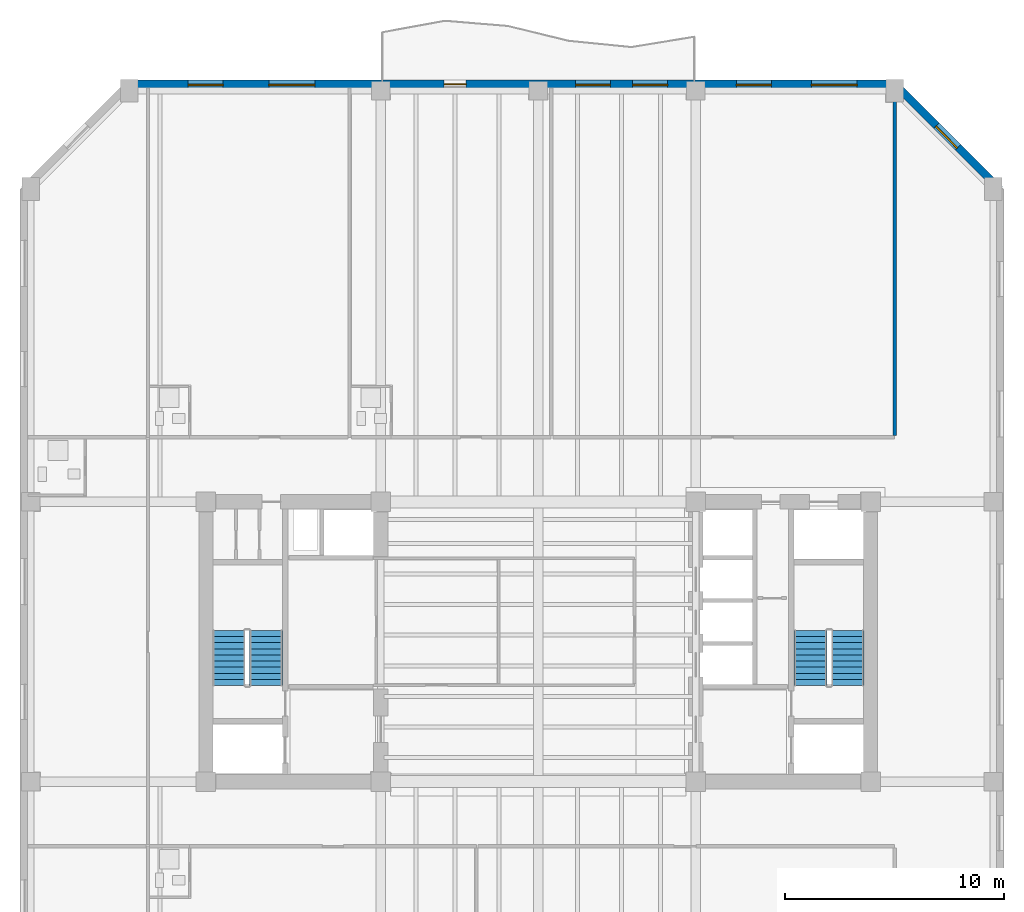
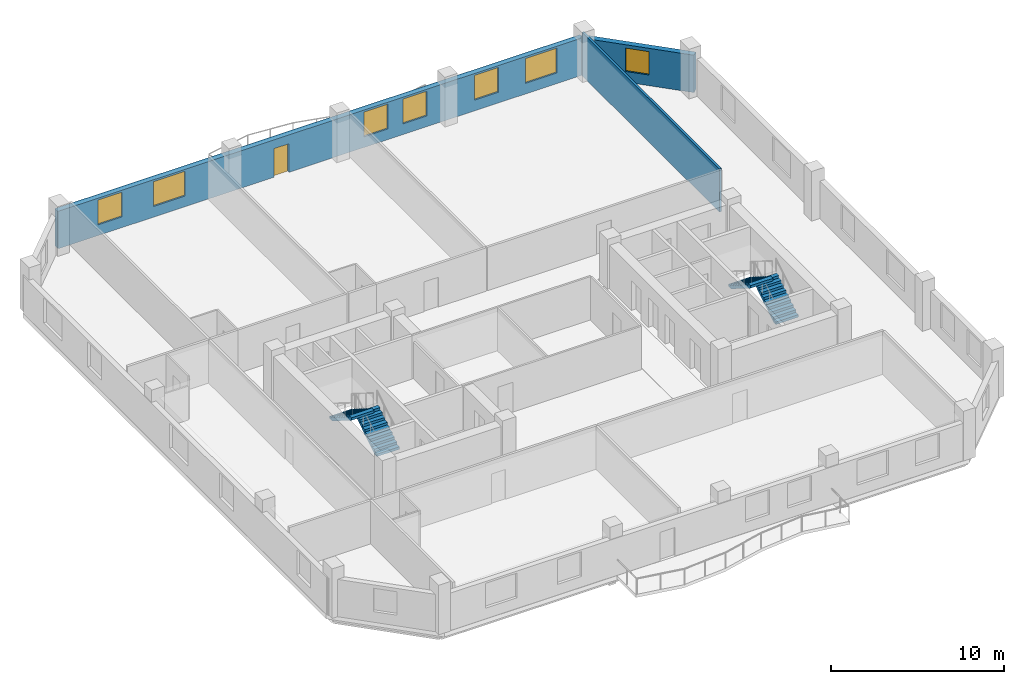
# One storey, part 5 of 9: 7 windows, 4 stair flights, 3 walls, 1 door, 8 openings, 2 elements without a shape of their own.
"""IFC4 building model written with IfcOpenShell, lengths in metres."""

import ifcopenshell
import ifcopenshell.guid

model = None  # the IFC model being written
_history = None  # IfcOwnerHistory: only IFC2X3 demands one
_inside = {}  # id of a spatial element -> (the spatial element, [elements in it])
_under = {}  # id of a project, library or spatial element -> (it, [spatial elements below it])
_declared = {}  # id of a project -> (the project, [libraries it declares])
_typed = {}  # id of a type object -> (the type object, [elements of that type])
_made_of = {}  # id of a material, layer set ... -> (it, [elements and type objects made of it])


def new_model(schema):
    """Start an empty IFC model of exactly this schema.

    Asked for "IFC4X3", IfcOpenShell would pick the latest addendum, in which some entities
    have other attributes; the version numbers below select the first issue.
    IFC2X3 requires an IfcOwnerHistory on every rooted entity: one is made here for all.
    """
    global model, _history
    if schema == "IFC4X3":
        model = ifcopenshell.file(schema_version=(4, 3, 0, 0))
    else:
        model = ifcopenshell.file(schema=schema)
    _inside.clear()
    _under.clear()
    _declared.clear()
    _typed.clear()
    _made_of.clear()
    _history = None
    if model.schema == "IFC2X3":
        org = make("IfcOrganization", Name="unknown")
        user = make(
            "IfcPersonAndOrganization",
            ThePerson=make("IfcPerson", FamilyName="unknown"),
            TheOrganization=org,
        )
        app = make(
            "IfcApplication",
            ApplicationDeveloper=org,
            Version="unknown",
            ApplicationFullName="unknown",
            ApplicationIdentifier="unknown",
        )
        _history = make(
            "IfcOwnerHistory",
            OwningUser=user,
            OwningApplication=app,
            ChangeAction="ADDED",
            CreationDate=0,
        )
    return model


def make(cls, **values):
    """One entity of the class cls with the attributes given. An attribute that is None is left unset."""
    return model.create_entity(
        cls, **{name: value for name, value in values.items() if value is not None}
    )


def rooted(cls, **values):
    """An entity with a GlobalId (a new one), such as an element, a storey or a relation."""
    return make(cls, GlobalId=ifcopenshell.guid.new(), OwnerHistory=_history, **values)


def si_unit(unit_type, name, prefix=None):
    """IfcSIUnit, for example si_unit("LENGTHUNIT", "METRE", prefix="MILLI")."""
    return make("IfcSIUnit", UnitType=unit_type, Prefix=prefix, Name=name)


def assignment(units):
    """IfcUnitAssignment: the units of a project."""
    return None if units is None else make("IfcUnitAssignment", Units=units)


def point(xyz):
    """IfcCartesianPoint."""
    return None if xyz is None else make("IfcCartesianPoint", Coordinates=xyz)


def direction(xyz):
    """IfcDirection."""
    return None if xyz is None else make("IfcDirection", DirectionRatios=xyz)


def frame(location, z_axis=None, x_axis=None):
    """IfcAxis2Placement3D, a coordinate frame: its origin and axes. An axis left out is left unset."""
    return make(
        "IfcAxis2Placement3D",
        Location=point(location),
        Axis=direction(z_axis),
        RefDirection=direction(x_axis),
    )


def frame_2d(location, x_axis=None):
    """IfcAxis2Placement2D, a coordinate frame in the plane: its origin and x axis."""
    return make(
        "IfcAxis2Placement2D", Location=point(location), RefDirection=direction(x_axis)
    )


def origin():
    """The frame at (0, 0, 0) with its axes left unset."""
    return frame((0.0, 0.0, 0.0))


def place(relative_to, where):
    """IfcLocalPlacement: puts the frame where relative to a parent placement (None: the world)."""
    return make(
        "IfcLocalPlacement", PlacementRelTo=relative_to, RelativePlacement=where
    )


def context(
    kind, dimensions, precision=None, world=None, true_north=None, identifier=None
):
    """IfcGeometricRepresentationContext, for example the 3D "Model" context."""
    return make(
        "IfcGeometricRepresentationContext",
        ContextIdentifier=identifier,
        ContextType=kind,
        CoordinateSpaceDimension=dimensions,
        Precision=precision,
        WorldCoordinateSystem=world,
        TrueNorth=true_north,
    )


def subcontext(parent, identifier, kind, view, scale=None):
    """IfcGeometricRepresentationSubContext, for example "Body" below "Model"."""
    return make(
        "IfcGeometricRepresentationSubContext",
        ContextIdentifier=identifier,
        ContextType=kind,
        ParentContext=parent,
        TargetScale=scale,
        TargetView=view,
    )


def project(units=None, contexts=None):
    """IfcProject with its units and contexts."""
    return rooted(
        "IfcProject",
        Name="project",
        RepresentationContexts=contexts,
        UnitsInContext=assignment(units),
    )


def spatial(cls, under=None, at=None, **own):
    """A site, building, storey or space (cls), placed at a placement, below another one or the project."""
    s = rooted(cls, ObjectPlacement=at, **own)
    if under is not None:
        _under.setdefault(under.id(), (under, []))[1].append(s)
    return s


def polyline(points):
    """IfcPolyline through the points."""
    return make("IfcPolyline", Points=[point(p) for p in points])


def profile(cls, at=None, kind="AREA", **sizes):
    """A parametric profile (cls). Its sizes go by their IFC names, for example OverallWidth=200.0."""
    return make(cls, ProfileType=kind, Position=at, **sizes)


def rectangle(**sizes):
    """IfcRectangleProfileDef."""
    return profile("IfcRectangleProfileDef", **sizes)


def outline(outer, holes=None, kind="AREA"):
    """IfcArbitraryClosedProfileDef: a profile drawn as a closed curve; with holes, ...WithVoids."""
    if holes is None:
        return make("IfcArbitraryClosedProfileDef", ProfileType=kind, OuterCurve=outer)
    return make(
        "IfcArbitraryProfileDefWithVoids",
        ProfileType=kind,
        OuterCurve=outer,
        InnerCurves=holes,
    )


def extrude(swept, where, along, depth):
    """IfcExtrudedAreaSolid: the profile swept, set in the frame where, extruded along a direction by depth."""
    return make(
        "IfcExtrudedAreaSolid",
        SweptArea=swept,
        Position=where,
        ExtrudedDirection=direction(along),
        Depth=depth,
    )


def shape(context_of_items, identifier, shape_type, items):
    """IfcShapeRepresentation: the items that make up one representation, for example the "Body"."""
    return make(
        "IfcShapeRepresentation",
        ContextOfItems=context_of_items,
        RepresentationIdentifier=identifier,
        RepresentationType=shape_type,
        Items=items,
    )


def material(Name=None, Category=None):
    """IfcMaterial."""
    return make("IfcMaterial", Name=Name, Category=Category)


def layer(
    of_material, thickness, ventilated=None, Name=None, Category=None, Priority=None
):
    """IfcMaterialLayer: one layer of a wall or slab, of a material (None: an air gap)."""
    return make(
        "IfcMaterialLayer",
        Material=of_material,
        LayerThickness=thickness,
        IsVentilated=ventilated,
        Name=Name,
        Category=Category,
        Priority=Priority,
    )


def layer_set(layers, Name=None):
    """IfcMaterialLayerSet."""
    return make("IfcMaterialLayerSet", MaterialLayers=layers, LayerSetName=Name)


def made_of(thing, what):
    """Note that an element or type object is made of a material, layer set ...; save() writes the relation."""
    if what is not None:
        _made_of.setdefault(what.id(), (what, []))[1].append(thing)
    return thing


def type_object(cls, material=None, **own):
    """A type object (cls), such as IfcWallType, which elements share."""
    return made_of(rooted(cls, **own), material)


def element(
    cls,
    number,
    at=None,
    inside=None,
    cuts=None,
    type_object=None,
    material=None,
    context=None,
    identifier="Body",
    shape_type=None,
    held_by="IfcProductDefinitionShape",
    body=None,
    shapes=None,
    **own,
):
    """One element of the class cls, such as IfcWall. Its Tag is "e" and its number.

    at: its placement. inside: the storey or other place that contains it. cuts: it is an
    opening in that element (IfcRelVoidsElement). A single representation is given by context,
    identifier, shape_type and body (its items); several are given by shapes. held_by: the class
    of the entity that holds the representations. save() writes the other relations.
    """
    e = rooted(cls, Tag="e%d" % number, ObjectPlacement=at, **own)
    if body is not None:
        shapes = [shape(context, identifier, shape_type, body)]
    if shapes is not None:
        e.Representation = make(held_by, Representations=shapes)
    if inside is not None:
        _inside.setdefault(inside.id(), (inside, []))[1].append(e)
    if cuts is not None:
        rooted(
            "IfcRelVoidsElement", RelatingBuildingElement=cuts, RelatedOpeningElement=e
        )
    if type_object is not None:
        _typed.setdefault(type_object.id(), (type_object, []))[1].append(e)
    return made_of(e, material)


def fill(opening, filler):
    """IfcRelFillsElement: the door or window that sits in an opening."""
    return rooted(
        "IfcRelFillsElement",
        RelatingOpeningElement=opening,
        RelatedBuildingElement=filler,
    )


def aggregate(whole, parts):
    """IfcRelAggregates: a whole, such as a stair, and the parts it consists of."""
    return rooted("IfcRelAggregates", RelatingObject=whole, RelatedObjects=parts)


def save(model, path):
    """Write the relations noted so far, then the file.

    IfcRelAggregates (storeys below a building ...), IfcRelContainedInSpatialStructure (elements
    in a storey), IfcRelDefinesByType, IfcRelAssociatesMaterial and IfcRelDeclares: one each for
    every whole, place, type object, material and project.
    """
    for whole, parts in _under.values():
        aggregate(whole, parts)
    for where, things in _inside.values():
        rooted(
            "IfcRelContainedInSpatialStructure",
            RelatedElements=things,
            RelatingStructure=where,
        )
    for kind, things in _typed.values():
        rooted("IfcRelDefinesByType", RelatedObjects=things, RelatingType=kind)
    for what, things in _made_of.values():
        rooted("IfcRelAssociatesMaterial", RelatedObjects=things, RelatingMaterial=what)
    for by, libraries in _declared.values():
        rooted("IfcRelDeclares", RelatingContext=by, RelatedDefinitions=libraries)
    model.write(path)


model = new_model("IFC4")

# Units and contexts
model_context = context("Model", 3, precision=1e-05, world=origin(), true_north=direction((0.0, 1.0)))
body_context = subcontext(model_context, "Body", "Model", "MODEL_VIEW")
ifc_project = project(units=[si_unit("LENGTHUNIT", "METRE"), si_unit("AREAUNIT", "SQUARE_METRE"), si_unit("VOLUMEUNIT", "CUBIC_METRE"), si_unit("PLANEANGLEUNIT", "RADIAN"), si_unit("MASSUNIT", "GRAM", prefix="KILO")], contexts=[model_context])

# Site, building, storey
site_placement = place(None, origin())
site = spatial("IfcSite", under=ifc_project, at=site_placement, CompositionType="ELEMENT")
building_placement = place(site_placement, origin())
building = spatial("IfcBuilding", under=site, at=building_placement, Name="Kranthara Brick Stack", CompositionType="ELEMENT")
storey_placement = place(building_placement, frame((0.0, 0.0, 193.800048828125)))
storey = spatial("IfcBuildingStorey", under=building, at=storey_placement, Name="L50", CompositionType="ELEMENT", Elevation=193.800048828125)

# Wall, openings, door, windows
ifc_material_1 = material(Name="Kiln-fired clay brick masonry M15", Category="masonry")
ifc_layer_1 = layer(ifc_material_1, 0.35009765625)
ifc_layer_set_1 = layer_set([ifc_layer_1], Name="Kiln-fired clay brick masonry M15")
wall_type_1 = type_object("IfcWallType", Name="WL-BRK-SPND-350", PredefinedType="STANDARD", material=ifc_layer_set_1)
wall_1_placement = place(storey_placement, frame((9.300048828125, 52.705078125, 0.0), z_axis=(0.0, 0.0, 1.0), x_axis=(1.0, 0.0, 0.0)))
wall_1 = element("IfcWall", 1, at=wall_1_placement, inside=storey, type_object=wall_type_1, Name="L50 Exterior Brick Facade Wall NORTH 1", PredefinedType="STANDARD", context=body_context, shape_type="SweptSolid", body=[
    extrude(rectangle(XDim=35.0, YDim=0.35009765625, at=frame_2d((17.5, 0.0))), origin(), (0.0, 0.0, 1.0), 2.635009765625),
])
opening_1_placement = place(wall_1_placement, frame((14.39990234375, 0.0, 0.0)))
opening_1 = element("IfcOpeningElement", 2, at=opening_1_placement, cuts=wall_1, Name="Opening D03", PredefinedType="OPENING", context=body_context, shape_type="SweptSolid", body=[
    extrude(rectangle(XDim=1.0, YDim=2.02001953125, at=frame_2d((0.5, 1.010009765625))), frame((0.0, 0.18505859375, 0.0), z_axis=(0.0, -1.0, 0.0), x_axis=(1.0, 0.0, 0.0)), (0.0, 0.0, 1.0), 0.3701171875),
])
opening_2_placement = place(wall_1_placement, frame((2.68701171875, 0.0, 0.75)))
opening_2 = element("IfcOpeningElement", 3, at=opening_2_placement, cuts=wall_1, Name="Opening WN04", PredefinedType="OPENING", context=body_context, shape_type="SweptSolid", body=[
    extrude(rectangle(XDim=1.60009765625, YDim=1.75, at=frame_2d((0.800048828125, 0.875))), frame((0.0, 0.18505859375, 0.0), z_axis=(0.0, -1.0, 0.0), x_axis=(1.0, 0.0, 0.0)), (0.0, 0.0, 1.0), 0.3701171875),
])
opening_3_placement = place(wall_1_placement, frame((6.383056640625, 0.0, 0.75)))
opening_3 = element("IfcOpeningElement", 4, at=opening_3_placement, cuts=wall_1, Name="Opening WN05", PredefinedType="OPENING", context=body_context, shape_type="SweptSolid", body=[
    extrude(rectangle(XDim=2.10009765625, YDim=1.75, at=frame_2d((1.050048828125, 0.875))), frame((0.0, 0.18505859375, 0.0), z_axis=(0.0, -1.0, 0.0), x_axis=(1.0, 0.0, 0.0)), (0.0, 0.0, 1.0), 0.3701171875),
])
opening_4_placement = place(wall_1_placement, frame((20.404052734375, 0.0, 0.75)))
opening_4 = element("IfcOpeningElement", 5, at=opening_4_placement, cuts=wall_1, Name="Opening WN04", PredefinedType="OPENING", context=body_context, shape_type="SweptSolid", body=[
    extrude(rectangle(XDim=1.60009765625, YDim=1.75, at=frame_2d((0.800048828125, 0.875))), frame((0.0, 0.18505859375, 0.0), z_axis=(0.0, -1.0, 0.0), x_axis=(1.0, 0.0, 0.0)), (0.0, 0.0, 1.0), 0.3701171875),
])
opening_5_placement = place(wall_1_placement, frame((23.011962890625, 0.0, 0.75)))
opening_5 = element("IfcOpeningElement", 6, at=opening_5_placement, cuts=wall_1, Name="Opening WN04", PredefinedType="OPENING", context=body_context, shape_type="SweptSolid", body=[
    extrude(rectangle(XDim=1.60009765625, YDim=1.75, at=frame_2d((0.800048828125, 0.875))), frame((0.0, 0.18505859375, 0.0), z_axis=(0.0, -1.0, 0.0), x_axis=(1.0, 0.0, 0.0)), (0.0, 0.0, 1.0), 0.3701171875),
])
opening_6_placement = place(wall_1_placement, frame((27.763916015625, 0.0, 0.75)))
opening_6 = element("IfcOpeningElement", 7, at=opening_6_placement, cuts=wall_1, Name="Opening WN04", PredefinedType="OPENING", context=body_context, shape_type="SweptSolid", body=[
    extrude(rectangle(XDim=1.60009765625, YDim=1.75, at=frame_2d((0.800048828125, 0.875))), frame((0.0, 0.18505859375, 0.0), z_axis=(0.0, -1.0, 0.0), x_axis=(1.0, 0.0, 0.0)), (0.0, 0.0, 1.0), 0.3701171875),
])
opening_7_placement = place(wall_1_placement, frame((31.18603515625, 0.0, 0.75)))
opening_7 = element("IfcOpeningElement", 8, at=opening_7_placement, cuts=wall_1, Name="Opening WN05", PredefinedType="OPENING", context=body_context, shape_type="SweptSolid", body=[
    extrude(rectangle(XDim=2.10009765625, YDim=1.75, at=frame_2d((1.050048828125, 0.875))), frame((0.0, 0.18505859375, 0.0), z_axis=(0.0, -1.0, 0.0), x_axis=(1.0, 0.0, 0.0)), (0.0, 0.0, 1.0), 0.3701171875),
])
ifc_material_2 = material(Name="Bronze anodised aluminium and laminated glass", Category="aluminium")
door_type = type_object("IfcDoorType", Name="DR-BALC-1000", OperationType="NOTDEFINED", PredefinedType="DOOR", material=ifc_material_2)
door_placement = place(opening_1_placement, origin())
door = element("IfcDoor", 9, at=door_placement, inside=storey, type_object=door_type, Name="L50 North Balcony Terrace Door", OperationType="SINGLE_SWING_RIGHT", OverallHeight=2.02001953125, OverallWidth=1.0, PredefinedType="DOOR", context=body_context, shape_type="SweptSolid", body=[
    extrude(rectangle(XDim=1.0, YDim=2.02001953125, at=frame_2d((0.5, 1.010009765625))), frame((0.0, 0.02490234375, 0.0), z_axis=(0.0, -1.0, 0.0), x_axis=(1.0, 0.0, 0.0)), (0.0, 0.0, 1.0), 0.050048828125),
])
fill(opening_1, door)
ifc_material_3 = material(Name="Double-glazed low-E solar control glass", Category="glass")
window_type_1 = type_object("IfcWindowType", Name="WN-HTL-1600x1850", PartitioningType="DOUBLE_PANEL_VERTICAL", PredefinedType="WINDOW", material=ifc_material_3)
window_1_placement = place(opening_2_placement, origin())
window_1 = element("IfcWindow", 10, at=window_1_placement, inside=storey, type_object=window_type_1, Name="L50 North Deep-Set Brick Window 01", OverallHeight=1.75, OverallWidth=1.60009765625, PartitioningType="SINGLE_PANEL", PredefinedType="WINDOW", context=body_context, shape_type="SweptSolid", body=[
    extrude(rectangle(XDim=1.60009765625, YDim=1.75, at=frame_2d((0.800048828125, 0.875))), frame((0.0, -0.010009765625, 0.0), z_axis=(0.0, -1.0, 0.0), x_axis=(1.0, 0.0, 0.0)), (0.0, 0.0, 1.0), 0.06005859375),
])
fill(opening_2, window_1)
window_2_placement = place(opening_4_placement, origin())
window_2 = element("IfcWindow", 11, at=window_2_placement, inside=storey, type_object=window_type_1, Name="L50 North Deep-Set Brick Window 03", OverallHeight=1.75, OverallWidth=1.60009765625, PartitioningType="SINGLE_PANEL", PredefinedType="WINDOW", context=body_context, shape_type="SweptSolid", body=[
    extrude(rectangle(XDim=1.60009765625, YDim=1.75, at=frame_2d((0.800048828125, 0.875))), frame((0.0, -0.010009765625, 0.0), z_axis=(0.0, -1.0, 0.0), x_axis=(1.0, 0.0, 0.0)), (0.0, 0.0, 1.0), 0.06005859375),
])
fill(opening_4, window_2)
window_3_placement = place(opening_5_placement, origin())
window_3 = element("IfcWindow", 12, at=window_3_placement, inside=storey, type_object=window_type_1, Name="L50 North Deep-Set Brick Window 04", OverallHeight=1.75, OverallWidth=1.60009765625, PartitioningType="SINGLE_PANEL", PredefinedType="WINDOW", context=body_context, shape_type="SweptSolid", body=[
    extrude(rectangle(XDim=1.60009765625, YDim=1.75, at=frame_2d((0.800048828125, 0.875))), frame((0.0, -0.010009765625, 0.0), z_axis=(0.0, -1.0, 0.0), x_axis=(1.0, 0.0, 0.0)), (0.0, 0.0, 1.0), 0.06005859375),
])
fill(opening_5, window_3)
window_4_placement = place(opening_6_placement, origin())
window_4 = element("IfcWindow", 13, at=window_4_placement, inside=storey, type_object=window_type_1, Name="L50 North Deep-Set Brick Window 05", OverallHeight=1.75, OverallWidth=1.60009765625, PartitioningType="SINGLE_PANEL", PredefinedType="WINDOW", context=body_context, shape_type="SweptSolid", body=[
    extrude(rectangle(XDim=1.60009765625, YDim=1.75, at=frame_2d((0.800048828125, 0.875))), frame((0.0, -0.010009765625, 0.0), z_axis=(0.0, -1.0, 0.0), x_axis=(1.0, 0.0, 0.0)), (0.0, 0.0, 1.0), 0.06005859375),
])
fill(opening_6, window_4)
ifc_material_4 = material(Name="Double-glazed low-E solar control glass", Category="glass")
window_type_2 = type_object("IfcWindowType", Name="WN-HTL-2100x1850", PartitioningType="DOUBLE_PANEL_VERTICAL", PredefinedType="WINDOW", material=ifc_material_4)
window_5_placement = place(opening_3_placement, origin())
window_5 = element("IfcWindow", 14, at=window_5_placement, inside=storey, type_object=window_type_2, Name="L50 North Deep-Set Brick Window 02", OverallHeight=1.75, OverallWidth=2.10009765625, PartitioningType="SINGLE_PANEL", PredefinedType="WINDOW", context=body_context, shape_type="SweptSolid", body=[
    extrude(rectangle(XDim=2.10009765625, YDim=1.75, at=frame_2d((1.050048828125, 0.875))), frame((0.0, -0.010009765625, 0.0), z_axis=(0.0, -1.0, 0.0), x_axis=(1.0, 0.0, 0.0)), (0.0, 0.0, 1.0), 0.06005859375),
])
fill(opening_3, window_5)
window_6_placement = place(opening_7_placement, origin())
window_6 = element("IfcWindow", 15, at=window_6_placement, inside=storey, type_object=window_type_2, Name="L50 North Deep-Set Brick Window 06", OverallHeight=1.75, OverallWidth=2.10009765625, PartitioningType="SINGLE_PANEL", PredefinedType="WINDOW", context=body_context, shape_type="SweptSolid", body=[
    extrude(rectangle(XDim=2.10009765625, YDim=1.75, at=frame_2d((1.050048828125, 0.875))), frame((0.0, -0.010009765625, 0.0), z_axis=(0.0, -1.0, 0.0), x_axis=(1.0, 0.0, 0.0)), (0.0, 0.0, 1.0), 0.06005859375),
])
fill(opening_7, window_6)

# Wall, opening, window
wall_2_placement = place(storey_placement, frame((44.300048828125, 52.705078125, 0.0), z_axis=(0.0, 0.0, 1.0), x_axis=(0.707088817216, -0.7071247447, 0.0)))
wall_2 = element("IfcWall", 16, at=wall_2_placement, inside=storey, type_object=wall_type_1, Name="L50 Exterior Brick Facade Wall NE 1", PredefinedType="STANDARD", context=body_context, shape_type="SweptSolid", body=[
    extrude(rectangle(XDim=6.79541015625, YDim=0.35009765625, at=frame_2d((3.397705078125, 0.0))), origin(), (0.0, 0.0, 1.0), 2.635009765625),
])
opening_8_placement = place(wall_2_placement, frame((2.697998046875, 0.0, 0.75)))
opening_8 = element("IfcOpeningElement", 17, at=opening_8_placement, cuts=wall_2, Name="Opening WN10", PredefinedType="OPENING", context=body_context, shape_type="SweptSolid", body=[
    extrude(rectangle(XDim=1.39990234375, YDim=1.64990234375, at=frame_2d((0.699951171875, 0.824951171875))), frame((0.0, 0.18505859375, 0.0), z_axis=(0.0, -1.0, 0.0), x_axis=(1.0, 0.0, 0.0)), (0.0, 0.0, 1.0), 0.3701171875),
])
ifc_material_5 = material(Name="Double-glazed low-E solar control glass", Category="glass")
window_type_3 = type_object("IfcWindowType", Name="WN-CHM-1400x1750", PartitioningType="SINGLE_PANEL", PredefinedType="WINDOW", material=ifc_material_5)
window_7_placement = place(opening_8_placement, origin())
window_7 = element("IfcWindow", 18, at=window_7_placement, inside=storey, type_object=window_type_3, Name="L50 NE Chamfer Corner Window", OverallHeight=1.64990234375, OverallWidth=1.39990234375, PartitioningType="SINGLE_PANEL", PredefinedType="WINDOW", context=body_context, shape_type="SweptSolid", body=[
    extrude(rectangle(XDim=1.39990234375, YDim=1.64990234375, at=frame_2d((0.699951171875, 0.824951171875))), frame((0.0, -0.010009765625, 0.0), z_axis=(0.0, -1.0, 0.0), x_axis=(1.0, 0.0, 0.0)), (0.0, 0.0, 1.0), 0.06005859375),
])
fill(opening_8, window_7)

# Wall
ifc_material_6 = material(Name="Fire-rated gypsum board partition", Category="other")
ifc_layer_2 = layer(ifc_material_6, 0.14990234375)
ifc_layer_set_2 = layer_set([ifc_layer_2], Name="Fire-rated gypsum board partition")
wall_type_2 = type_object("IfcWallType", Name="WL-PART-150", PredefinedType="PARTITIONING", material=ifc_layer_set_2)
wall_3_placement = place(storey_placement, frame((44.300048828125, 36.6298828125, 0.0), z_axis=(0.0, 0.0, 1.0), x_axis=(0.0, 1.0, 0.0)))
element("IfcWall", 19, at=wall_3_placement, inside=storey, type_object=wall_type_2, Name="L50 Interior Partition 029", PredefinedType="PARTITIONING", context=body_context, shape_type="SweptSolid", body=[
    extrude(rectangle(XDim=15.89501953125, YDim=0.14990234375, at=frame_2d((7.947509765625, 0.0))), origin(), (0.0, 0.0, 1.0), 3.050048828125),
])

# Stair, stair flights
ifc_material_7 = material(Name="Concrete C45/55", Category="concrete")
stair_type = type_object("IfcStairType", Name="ST-CORE-20R", PredefinedType="HALF_TURN_STAIR", material=ifc_material_7)
stair_1_placement = place(storey_placement, origin())
stair_1 = element("IfcStair", 20, at=stair_1_placement, inside=storey, type_object=stair_type, Name="L50 West Core Protected Exit Stair ST01", PredefinedType="HALF_TURN_STAIR")
ifc_material_8 = material(Name="Concrete C45/55", Category="concrete")
stair_flight_type = type_object("IfcStairFlightType", Name="SFL-RC-20R", PredefinedType="STRAIGHT", material=ifc_material_8)
stair_flight_1_placement = place(storey_placement, frame((15.550048828125, 25.199951171875, 0.0), z_axis=(0.0, 0.0, 1.0), x_axis=(0.0, 1.0, 0.0)))
stair_flight_1 = element("IfcStairFlight", 21, at=stair_flight_1_placement, type_object=stair_flight_type, Name="ST01 flight 1", NumberOfRisers=10, NumberOfTreads=9, PredefinedType="STRAIGHT", RiserHeight=0.175, TreadLength=0.28, context=body_context, shape_type="SweptSolid", body=[
    extrude(outline(polyline([(0.0, 0.0), (0.0, 0.175048828125), (0.280029296875, 0.175048828125), (0.280029296875, 0.35009765625), (0.56005859375, 0.35009765625), (0.56005859375, 0.52490234375), (0.840087890625, 0.52490234375), (0.840087890625, 0.699951171875), (1.1201171875, 0.699951171875), (1.1201171875, 0.875), (1.39990234375, 0.875), (1.39990234375, 1.050048828125), (1.679931640625, 1.050048828125), (1.679931640625, 1.22509765625), (1.9599609375, 1.22509765625), (1.9599609375, 1.39990234375), (2.239990234375, 1.39990234375), (2.239990234375, 1.574951171875), (2.52001953125, 1.574951171875), (2.52001953125, 1.75), (2.52001953125, 1.398193359375), (0.28271484375, 0.0), (0.0, 0.0)])), frame((0.0, 0.75, 0.0), z_axis=(0.0, -1.0, 0.0), x_axis=(1.0, 0.0, 0.0)), (0.0, 0.0, 1.0), 1.5),
])
stair_flight_2_placement = place(storey_placement, frame((13.85009765625, 27.719970703125, 1.75), z_axis=(0.0, 0.0, 1.0), x_axis=(0.0, -1.0, 0.0)))
stair_flight_2 = element("IfcStairFlight", 22, at=stair_flight_2_placement, type_object=stair_flight_type, Name="ST01 flight 2", NumberOfRisers=10, NumberOfTreads=9, PredefinedType="STRAIGHT", RiserHeight=0.175, TreadLength=0.28, context=body_context, shape_type="SweptSolid", body=[
    extrude(outline(polyline([(0.0, 0.0), (0.0, 0.175048828125), (0.280029296875, 0.175048828125), (0.280029296875, 0.35009765625), (0.56005859375, 0.35009765625), (0.56005859375, 0.52490234375), (0.840087890625, 0.52490234375), (0.840087890625, 0.699951171875), (1.1201171875, 0.699951171875), (1.1201171875, 0.875), (1.39990234375, 0.875), (1.39990234375, 1.050048828125), (1.679931640625, 1.050048828125), (1.679931640625, 1.22509765625), (1.9599609375, 1.22509765625), (1.9599609375, 1.39990234375), (2.239990234375, 1.39990234375), (2.239990234375, 1.574951171875), (2.52001953125, 1.574951171875), (2.52001953125, 1.75), (2.52001953125, 1.398193359375), (0.28271484375, 0.0), (0.0, 0.0)])), frame((0.0, 0.75, 0.0), z_axis=(0.0, -1.0, 0.0), x_axis=(1.0, 0.0, 0.0)), (0.0, 0.0, 1.0), 1.5),
])
aggregate(stair_1, [stair_flight_1, stair_flight_2])

stair_2_placement = place(storey_placement, origin())
stair_2 = element("IfcStair", 23, at=stair_2_placement, inside=storey, type_object=stair_type, Name="L50 East Core Protected Exit Stair ST02", PredefinedType="HALF_TURN_STAIR")
stair_flight_3_placement = place(storey_placement, frame((42.14990234375, 25.199951171875, 0.0), z_axis=(0.0, 0.0, 1.0), x_axis=(0.0, 1.0, 0.0)))
stair_flight_3 = element("IfcStairFlight", 24, at=stair_flight_3_placement, type_object=stair_flight_type, Name="ST02 flight 1", NumberOfRisers=10, NumberOfTreads=9, PredefinedType="STRAIGHT", RiserHeight=0.175, TreadLength=0.28, context=body_context, shape_type="SweptSolid", body=[
    extrude(outline(polyline([(0.0, 0.0), (0.0, 0.175048828125), (0.280029296875, 0.175048828125), (0.280029296875, 0.35009765625), (0.56005859375, 0.35009765625), (0.56005859375, 0.52490234375), (0.840087890625, 0.52490234375), (0.840087890625, 0.699951171875), (1.1201171875, 0.699951171875), (1.1201171875, 0.875), (1.39990234375, 0.875), (1.39990234375, 1.050048828125), (1.679931640625, 1.050048828125), (1.679931640625, 1.22509765625), (1.9599609375, 1.22509765625), (1.9599609375, 1.39990234375), (2.239990234375, 1.39990234375), (2.239990234375, 1.574951171875), (2.52001953125, 1.574951171875), (2.52001953125, 1.75), (2.52001953125, 1.398193359375), (0.28271484375, 0.0), (0.0, 0.0)])), frame((0.0, 0.75, 0.0), z_axis=(0.0, -1.0, 0.0), x_axis=(1.0, 0.0, 0.0)), (0.0, 0.0, 1.0), 1.5),
])
stair_flight_4_placement = place(storey_placement, frame((40.449951171875, 27.719970703125, 1.75), z_axis=(0.0, 0.0, 1.0), x_axis=(0.0, -1.0, 0.0)))
stair_flight_4 = element("IfcStairFlight", 25, at=stair_flight_4_placement, type_object=stair_flight_type, Name="ST02 flight 2", NumberOfRisers=10, NumberOfTreads=9, PredefinedType="STRAIGHT", RiserHeight=0.175, TreadLength=0.28, context=body_context, shape_type="SweptSolid", body=[
    extrude(outline(polyline([(0.0, 0.0), (0.0, 0.175048828125), (0.280029296875, 0.175048828125), (0.280029296875, 0.35009765625), (0.56005859375, 0.35009765625), (0.56005859375, 0.52490234375), (0.840087890625, 0.52490234375), (0.840087890625, 0.699951171875), (1.1201171875, 0.699951171875), (1.1201171875, 0.875), (1.39990234375, 0.875), (1.39990234375, 1.050048828125), (1.679931640625, 1.050048828125), (1.679931640625, 1.22509765625), (1.9599609375, 1.22509765625), (1.9599609375, 1.39990234375), (2.239990234375, 1.39990234375), (2.239990234375, 1.574951171875), (2.52001953125, 1.574951171875), (2.52001953125, 1.75), (2.52001953125, 1.398193359375), (0.28271484375, 0.0), (0.0, 0.0)])), frame((0.0, 0.75, 0.0), z_axis=(0.0, -1.0, 0.0), x_axis=(1.0, 0.0, 0.0)), (0.0, 0.0, 1.0), 1.5),
])
aggregate(stair_2, [stair_flight_3, stair_flight_4])

save(model, "model.ifc")
